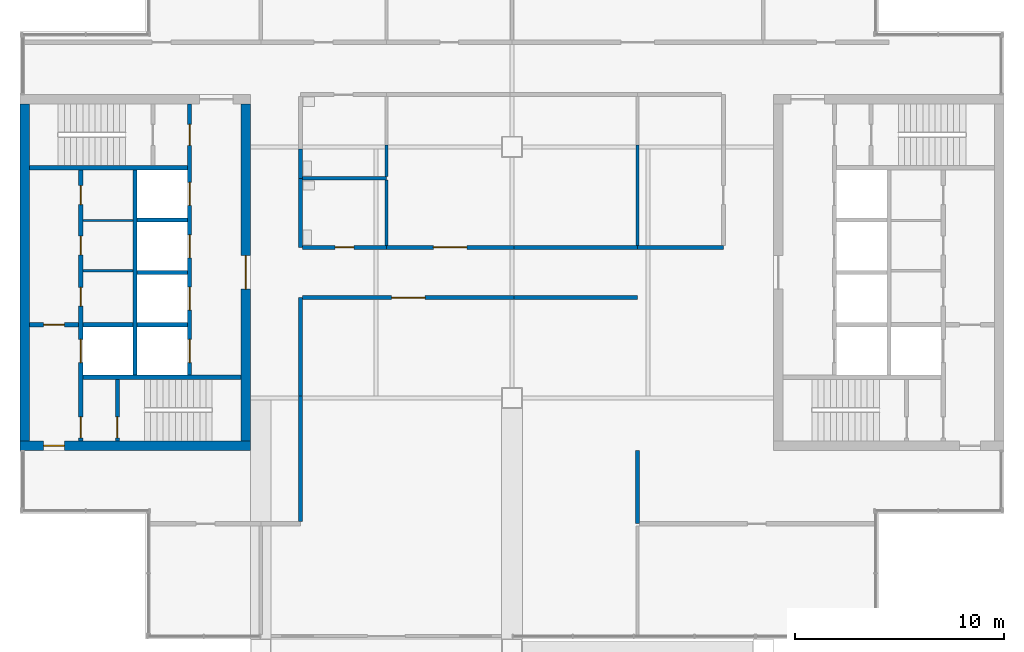
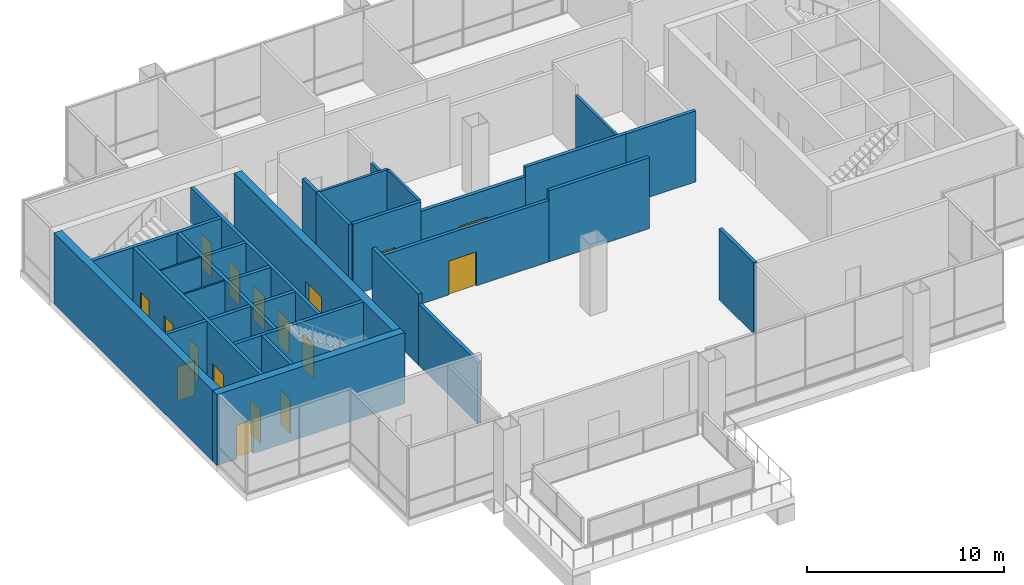
# One storey, part 11 of 15: 31 walls, 17 doors, 17 openings.
"""IFC4 building model written with IfcOpenShell, lengths in metres."""

from ifc_helpers import new_model, si_unit, direction, frame, frame_2d, origin, place, context, subcontext, project, spatial, rectangle, extrude, material, layer, layer_set, type_object, element, fill, save


model = new_model("IFC4")

# Units and contexts
model_context = context("Model", 3, precision=1e-05, world=origin(), true_north=direction((0.0, 1.0)))
body_context = subcontext(model_context, "Body", "Model", "MODEL_VIEW")
ifc_project = project(units=[si_unit("LENGTHUNIT", "METRE"), si_unit("AREAUNIT", "SQUARE_METRE"), si_unit("VOLUMEUNIT", "CUBIC_METRE"), si_unit("PLANEANGLEUNIT", "RADIAN"), si_unit("MASSUNIT", "GRAM", prefix="KILO")], contexts=[model_context])

# Site, building, storey
site_placement = place(None, origin())
site = spatial("IfcSite", under=ifc_project, at=site_placement, CompositionType="ELEMENT")
building_placement = place(site_placement, origin())
building = spatial("IfcBuilding", under=site, at=building_placement, Name="Kitamizu Gate Tower and Museum", CompositionType="ELEMENT")
storey_placement = place(building_placement, frame((0.0, 0.0, 273.14990234375)))
storey = spatial("IfcBuildingStorey", under=building, at=storey_placement, Name="L74", CompositionType="ELEMENT", Elevation=273.14990234375)

# Wall, opening, door
ifc_material_1 = material(Name="Concrete Fc42", Category="concrete")
ifc_layer_1 = layer(ifc_material_1, 0.449951171875)
ifc_layer_set_1 = layer_set([ifc_layer_1], Name="Concrete Fc42")
wall_type_1 = type_object("IfcWallType", Name="Core wall 450 EI 60", PredefinedType="SHEAR", material=ifc_layer_set_1)
wall_1_placement = place(storey_placement, frame((12.5, 21.72509765625, 0.0), z_axis=(0.0, 0.0, 1.0), x_axis=(1.0, 0.0, 0.0)))
wall_1 = element("IfcWall", 1, at=wall_1_placement, inside=storey, type_object=wall_type_1, Name="Core wall WS", PredefinedType="SHEAR", context=body_context, shape_type="SweptSolid", body=[
    extrude(rectangle(XDim=11.0, YDim=0.449951171875, at=frame_2d((5.5, 0.0))), origin(), (0.0, 0.0, 1.0), 4.400146484375),
])
opening_1_placement = place(wall_1_placement, frame((1.125, 0.0, 0.0)))
opening_1 = element("IfcOpeningElement", 2, at=opening_1_placement, cuts=wall_1, Name="Opening L74-018", PredefinedType="OPENING", context=body_context, shape_type="SweptSolid", body=[
    extrude(rectangle(XDim=1.0, YDim=2.10009765625, at=frame_2d((0.5, 1.050048828125))), frame((0.0, 0.23486328125, 0.0), z_axis=(0.0, -1.0, 0.0), x_axis=(1.0, 0.0, 0.0)), (0.0, 0.0, 1.0), 0.469970703125),
])
ifc_material_2 = material(Name="Hollow metal door set")
door_type_1 = type_object("IfcDoorType", Name="Fire door 1000", OperationType="NOTDEFINED", PredefinedType="DOOR", material=ifc_material_2)
door_1_placement = place(opening_1_placement, origin())
door_1 = element("IfcDoor", 3, at=door_1_placement, inside=storey, type_object=door_type_1, Name="Fire-fighting lobby door L74-018", OperationType="SINGLE_SWING_LEFT", OverallHeight=2.10009765625, OverallWidth=1.0, PredefinedType="DOOR", context=body_context, shape_type="SweptSolid", body=[
    extrude(rectangle(XDim=1.0, YDim=2.10009765625, at=frame_2d((0.5, 1.050048828125))), frame((0.0, 0.02490234375, 0.0), z_axis=(0.0, -1.0, 0.0), x_axis=(1.0, 0.0, 0.0)), (0.0, 0.0, 1.0), 0.050048828125),
])
fill(opening_1, door_1)

# Wall
wall_2_placement = place(storey_placement, frame((12.72509765625, 21.949951171875, 0.0), z_axis=(0.0, 0.0, 1.0), x_axis=(0.0, 1.0, 0.0)))
element("IfcWall", 4, at=wall_2_placement, inside=storey, type_object=wall_type_1, Name="Core wall WOUT", PredefinedType="SHEAR", context=body_context, shape_type="SweptSolid", body=[
    extrude(rectangle(XDim=16.10009765625, YDim=0.449951171875, at=frame_2d((8.050048828125, 0.0))), origin(), (0.0, 0.0, 1.0), 4.400146484375),
])

# Wall, opening, door
wall_3_placement = place(storey_placement, frame((23.27490234375, 21.949951171875, 0.0), z_axis=(0.0, 0.0, 1.0), x_axis=(0.0, 1.0, 0.0)))
wall_3 = element("IfcWall", 5, at=wall_3_placement, inside=storey, type_object=wall_type_1, Name="Core wall WARC", PredefinedType="SHEAR", context=body_context, shape_type="SweptSolid", body=[
    extrude(rectangle(XDim=16.10009765625, YDim=0.449951171875, at=frame_2d((8.050048828125, 0.0))), origin(), (0.0, 0.0, 1.0), 4.400146484375),
])
opening_2_placement = place(wall_3_placement, frame((7.25, 0.0, 0.0)))
opening_2 = element("IfcOpeningElement", 6, at=opening_2_placement, cuts=wall_3, Name="Opening L74-020", PredefinedType="OPENING", context=body_context, shape_type="SweptSolid", body=[
    extrude(rectangle(XDim=1.60009765625, YDim=2.10009765625, at=frame_2d((0.800048828125, 1.050048828125))), frame((0.0, 0.23486328125, 0.0), z_axis=(0.0, -1.0, 0.0), x_axis=(1.0, 0.0, 0.0)), (0.0, 0.0, 1.0), 0.469970703125),
])
ifc_material_3 = material(Name="Timber door set", Category="wood")
door_type_2 = type_object("IfcDoorType", Name="Entrance door 1600", OperationType="DOUBLE_DOOR_SINGLE_SWING", PredefinedType="DOOR", material=ifc_material_3)
door_2_placement = place(opening_2_placement, origin())
door_2 = element("IfcDoor", 7, at=door_2_placement, inside=storey, type_object=door_type_2, Name="Lobby door L74-020", OperationType="DOUBLE_DOOR_SINGLE_SWING", OverallHeight=2.10009765625, OverallWidth=1.60009765625, PredefinedType="DOOR", context=body_context, shape_type="SweptSolid", body=[
    extrude(rectangle(XDim=1.60009765625, YDim=2.10009765625, at=frame_2d((0.800048828125, 1.050048828125))), frame((0.0, 0.02490234375, 0.0), z_axis=(0.0, -1.0, 0.0), x_axis=(1.0, 0.0, 0.0)), (0.0, 0.0, 1.0), 0.050048828125),
])
fill(opening_2, door_2)

# Walls
ifc_material_4 = material(Name="Gypsum board on galvanised stud")
ifc_layer_2 = layer(ifc_material_4, 0.10009765625)
ifc_layer_set_2 = layer_set([ifc_layer_2], Name="Gypsum board on galvanised stud")
wall_type_2 = type_object("IfcWallType", Name="Partition 100", PredefinedType="PARTITIONING", material=ifc_layer_set_2)
for number, where, z_axis, x_axis, name in (
    (8, (15.5, 30.08203125, 0.0), (0.0, 0.0, 1.0), (1.0, 0.0, 0.0), "Partition WPF1"),
    (9, (15.5, 32.490966796875, 0.0), (0.0, 0.0, 1.0), (1.0, 0.0, 0.0), "Partition WPF2"),
):
    element("IfcWall", number, at=place(storey_placement, frame(where, z_axis=z_axis, x_axis=x_axis)), inside=storey, type_object=wall_type_2, Name=name, PredefinedType="PARTITIONING", context=body_context, shape_type="SweptSolid", body=[
        extrude(rectangle(XDim=2.39990234375, YDim=0.10009765625, at=frame_2d((1.199951171875, 0.0))), origin(), (0.0, 0.0, 1.0), 4.400146484375),
    ])
ifc_material_5 = material(Name="Gypsum board on galvanised stud")
ifc_layer_3 = layer(ifc_material_5, 0.14990234375)
ifc_layer_set_3 = layer_set([ifc_layer_3], Name="Gypsum board on galvanised stud")
wall_type_3 = type_object("IfcWallType", Name="Partition 150", PredefinedType="PARTITIONING", material=ifc_layer_set_3)
wall_4_placement = place(storey_placement, frame((26.0, 34.5, 0.0), z_axis=(0.0, 0.0, 1.0), x_axis=(1.0, 0.0, 0.0)))
element("IfcWall", 10, at=wall_4_placement, inside=storey, type_object=wall_type_3, Name="Partition L74-033", PredefinedType="PARTITIONING", context=body_context, shape_type="SweptSolid", body=[
    extrude(rectangle(XDim=4.0, YDim=0.14990234375, at=frame_2d((2.0, 0.0))), origin(), (0.0, 0.0, 1.0), 4.400146484375),
])
wall_5_placement = place(storey_placement, frame((30.0, 34.574951171875, 0.0), z_axis=(0.0, 0.0, 1.0), x_axis=(0.0, 1.0, 0.0)))
element("IfcWall", 11, at=wall_5_placement, inside=storey, type_object=wall_type_3, Name="Partition L74-034", PredefinedType="PARTITIONING", context=body_context, shape_type="SweptSolid", body=[
    extrude(rectangle(XDim=1.525146484375, YDim=0.14990234375, at=frame_2d((0.7626953125, 0.0))), origin(), (0.0, 0.0, 1.0), 3.800048828125),
])
wall_6_placement = place(storey_placement, frame((30.0, 31.300048828125, 0.0), z_axis=(0.0, 0.0, 1.0), x_axis=(0.0, 1.0, 0.0)))
element("IfcWall", 12, at=wall_6_placement, inside=storey, type_object=wall_type_3, Name="Partition L74-036", PredefinedType="PARTITIONING", context=body_context, shape_type="SweptSolid", body=[
    extrude(rectangle(XDim=3.125, YDim=0.14990234375, at=frame_2d((1.5625, 0.0))), origin(), (0.0, 0.0, 1.0), 4.400146484375),
])
wall_7_placement = place(storey_placement, frame((42.0, 31.300048828125, 0.0), z_axis=(0.0, 0.0, 1.0), x_axis=(0.0, 1.0, 0.0)))
element("IfcWall", 13, at=wall_7_placement, inside=storey, type_object=wall_type_3, Name="Partition L74-037", PredefinedType="PARTITIONING", context=body_context, shape_type="SweptSolid", body=[
    extrude(rectangle(XDim=4.800048828125, YDim=0.14990234375, at=frame_2d((2.39990234375, 0.0))), origin(), (0.0, 0.0, 1.0), 3.800048828125),
])
ifc_material_6 = material(Name="Gypsum board on galvanised stud")
ifc_layer_4 = layer(ifc_material_6, 0.199951171875)
ifc_layer_set_4 = layer_set([ifc_layer_4], Name="Gypsum board on galvanised stud")
wall_type_4 = type_object("IfcWallType", Name="Partition 200", PredefinedType="PARTITIONING", material=ifc_layer_set_4)
wall_8_placement = place(storey_placement, frame((25.89990234375, 18.10009765625, 0.0), z_axis=(0.0, 0.0, 1.0), x_axis=(0.0, 1.0, 0.0)))
element("IfcWall", 14, at=wall_8_placement, inside=storey, type_object=wall_type_4, Name="Partition L74-002", PredefinedType="PARTITIONING", context=body_context, shape_type="SweptSolid", body=[
    extrude(rectangle(XDim=6.0, YDim=0.199951171875, at=frame_2d((3.0, 0.0))), origin(), (0.0, 0.0, 1.0), 3.800048828125),
])
wall_9_placement = place(storey_placement, frame((25.89990234375, 24.10009765625, 0.0), z_axis=(0.0, 0.0, 1.0), x_axis=(0.0, 1.0, 0.0)))
element("IfcWall", 15, at=wall_9_placement, inside=storey, type_object=wall_type_4, Name="Partition L74-003", PredefinedType="PARTITIONING", context=body_context, shape_type="SweptSolid", body=[
    extrude(rectangle(XDim=4.699951171875, YDim=0.199951171875, at=frame_2d((2.35009765625, 0.0))), origin(), (0.0, 0.0, 1.0), 4.400146484375),
])

# Wall, opening, door
wall_10_placement = place(storey_placement, frame((26.0, 28.800048828125, 0.0), z_axis=(0.0, 0.0, 1.0), x_axis=(1.0, 0.0, 0.0)))
wall_10 = element("IfcWall", 16, at=wall_10_placement, inside=storey, type_object=wall_type_4, Name="Partition L74-004", PredefinedType="PARTITIONING", context=body_context, shape_type="SweptSolid", body=[
    extrude(rectangle(XDim=10.10009765625, YDim=0.199951171875, at=frame_2d((5.050048828125, 0.0))), origin(), (0.0, 0.0, 1.0), 3.800048828125),
])
opening_3_placement = place(wall_10_placement, frame((4.25, 0.0, 0.0)))
opening_3 = element("IfcOpeningElement", 17, at=opening_3_placement, cuts=wall_10, Name="Opening L74-001", PredefinedType="OPENING", context=body_context, shape_type="SweptSolid", body=[
    extrude(rectangle(XDim=1.60009765625, YDim=2.10009765625, at=frame_2d((0.800048828125, 1.050048828125))), frame((0.0, 0.10986328125, 0.0), z_axis=(0.0, -1.0, 0.0), x_axis=(1.0, 0.0, 0.0)), (0.0, 0.0, 1.0), 0.219970703125),
])
ifc_material_7 = material(Name="Timber door set", Category="wood")
door_type_3 = type_object("IfcDoorType", Name="Double door 1600", OperationType="DOUBLE_DOOR_SINGLE_SWING", PredefinedType="DOOR", material=ifc_material_7)
door_3_placement = place(opening_3_placement, origin())
door_3 = element("IfcDoor", 18, at=door_3_placement, inside=storey, type_object=door_type_3, Name="Double door L74-001", OperationType="DOUBLE_DOOR_SINGLE_SWING", OverallHeight=2.10009765625, OverallWidth=1.60009765625, PredefinedType="DOOR", context=body_context, shape_type="SweptSolid", body=[
    extrude(rectangle(XDim=1.60009765625, YDim=2.10009765625, at=frame_2d((0.800048828125, 1.050048828125))), frame((0.0, 0.02490234375, 0.0), z_axis=(0.0, -1.0, 0.0), x_axis=(1.0, 0.0, 0.0)), (0.0, 0.0, 1.0), 0.050048828125),
])
fill(opening_3, door_3)

# Walls
wall_11_placement = place(storey_placement, frame((36.10009765625, 28.800048828125, 0.0), z_axis=(0.0, 0.0, 1.0), x_axis=(1.0, 0.0, 0.0)))
element("IfcWall", 19, at=wall_11_placement, inside=storey, type_object=wall_type_4, Name="Partition L74-005", PredefinedType="PARTITIONING", context=body_context, shape_type="SweptSolid", body=[
    extrude(rectangle(XDim=5.89990234375, YDim=0.199951171875, at=frame_2d((2.949951171875, 0.0))), origin(), (0.0, 0.0, 1.0), 4.400146484375),
])
wall_12_placement = place(storey_placement, frame((42.0, 21.5, 0.0), z_axis=(0.0, 0.0, 1.0), x_axis=(0.0, -1.0, 0.0)))
element("IfcWall", 20, at=wall_12_placement, inside=storey, type_object=wall_type_4, Name="Partition L74-006", PredefinedType="PARTITIONING", context=body_context, shape_type="SweptSolid", body=[
    extrude(rectangle(XDim=3.5, YDim=0.199951171875, at=frame_2d((1.75, 0.0))), origin(), (0.0, 0.0, 1.0), 4.400146484375),
])
wall_13_placement = place(storey_placement, frame((25.89990234375, 35.89990234375, 0.0), z_axis=(0.0, 0.0, 1.0), x_axis=(0.0, -1.0, 0.0)))
element("IfcWall", 21, at=wall_13_placement, inside=storey, type_object=wall_type_4, Name="Partition L74-016", PredefinedType="PARTITIONING", context=body_context, shape_type="SweptSolid", body=[
    extrude(rectangle(XDim=1.39990234375, YDim=0.199951171875, at=frame_2d((0.699951171875, 0.0))), origin(), (0.0, 0.0, 1.0), 4.400146484375),
])
wall_14_placement = place(storey_placement, frame((25.89990234375, 34.5, 0.0), z_axis=(0.0, 0.0, 1.0), x_axis=(0.0, -1.0, 0.0)))
element("IfcWall", 22, at=wall_14_placement, inside=storey, type_object=wall_type_4, Name="Partition L74-017", PredefinedType="PARTITIONING", context=body_context, shape_type="SweptSolid", body=[
    extrude(rectangle(XDim=3.300048828125, YDim=0.199951171875, at=frame_2d((1.64990234375, 0.0))), origin(), (0.0, 0.0, 1.0), 4.400146484375),
])

# Wall, opening, door
wall_15_placement = place(storey_placement, frame((26.0, 31.199951171875, 0.0), z_axis=(0.0, 0.0, 1.0), x_axis=(1.0, 0.0, 0.0)))
wall_15 = element("IfcWall", 23, at=wall_15_placement, inside=storey, type_object=wall_type_4, Name="Partition L74-018", PredefinedType="PARTITIONING", context=body_context, shape_type="SweptSolid", body=[
    extrude(rectangle(XDim=4.0, YDim=0.199951171875, at=frame_2d((2.0, 0.0))), origin(), (0.0, 0.0, 1.0), 4.400146484375),
])
opening_4_placement = place(wall_15_placement, frame((1.550048828125, 0.0, 0.0)))
opening_4 = element("IfcOpeningElement", 24, at=opening_4_placement, cuts=wall_15, Name="Opening L74-010", PredefinedType="OPENING", context=body_context, shape_type="SweptSolid", body=[
    extrude(rectangle(XDim=0.89990234375, YDim=2.10009765625, at=frame_2d((0.449951171875, 1.050048828125))), frame((0.0, 0.10986328125, 0.0), z_axis=(0.0, -1.0, 0.0), x_axis=(1.0, 0.0, 0.0)), (0.0, 0.0, 1.0), 0.219970703125),
])
ifc_material_8 = material(Name="Timber door set", Category="wood")
door_type_4 = type_object("IfcDoorType", Name="Store door 900", OperationType="NOTDEFINED", PredefinedType="DOOR", material=ifc_material_8)
door_4_placement = place(opening_4_placement, origin())
door_4 = element("IfcDoor", 25, at=door_4_placement, inside=storey, type_object=door_type_4, Name="Store door L74-010", OperationType="SINGLE_SWING_RIGHT", OverallHeight=2.10009765625, OverallWidth=0.89990234375, PredefinedType="DOOR", context=body_context, shape_type="SweptSolid", body=[
    extrude(rectangle(XDim=0.89990234375, YDim=2.10009765625, at=frame_2d((0.449951171875, 1.050048828125))), frame((0.0, 0.02490234375, 0.0), z_axis=(0.0, -1.0, 0.0), x_axis=(1.0, 0.0, 0.0)), (0.0, 0.0, 1.0), 0.050048828125),
])
fill(opening_4, door_4)

wall_16_placement = place(storey_placement, frame((30.0, 31.199951171875, 0.0), z_axis=(0.0, 0.0, 1.0), x_axis=(1.0, 0.0, 0.0)))
wall_16 = element("IfcWall", 26, at=wall_16_placement, inside=storey, type_object=wall_type_4, Name="Partition L74-019", PredefinedType="PARTITIONING", context=body_context, shape_type="SweptSolid", body=[
    extrude(rectangle(XDim=6.10009765625, YDim=0.199951171875, at=frame_2d((3.050048828125, 0.0))), origin(), (0.0, 0.0, 1.0), 3.800048828125),
])
opening_5_placement = place(wall_16_placement, frame((2.25, 0.0, 0.0)))
opening_5 = element("IfcOpeningElement", 27, at=opening_5_placement, cuts=wall_16, Name="Opening L74-011", PredefinedType="OPENING", context=body_context, shape_type="SweptSolid", body=[
    extrude(rectangle(XDim=1.60009765625, YDim=2.10009765625, at=frame_2d((0.800048828125, 1.050048828125))), frame((0.0, 0.10986328125, 0.0), z_axis=(0.0, -1.0, 0.0), x_axis=(1.0, 0.0, 0.0)), (0.0, 0.0, 1.0), 0.219970703125),
])
door_5_placement = place(opening_5_placement, origin())
door_5 = element("IfcDoor", 28, at=door_5_placement, inside=storey, type_object=door_type_3, Name="Double door L74-011", OperationType="DOUBLE_DOOR_SINGLE_SWING", OverallHeight=2.10009765625, OverallWidth=1.60009765625, PredefinedType="DOOR", context=body_context, shape_type="SweptSolid", body=[
    extrude(rectangle(XDim=1.60009765625, YDim=2.10009765625, at=frame_2d((0.800048828125, 1.050048828125))), frame((0.0, 0.02490234375, 0.0), z_axis=(0.0, -1.0, 0.0), x_axis=(1.0, 0.0, 0.0)), (0.0, 0.0, 1.0), 0.050048828125),
])
fill(opening_5, door_5)

# Walls
wall_17_placement = place(storey_placement, frame((36.10009765625, 31.199951171875, 0.0), z_axis=(0.0, 0.0, 1.0), x_axis=(1.0, 0.0, 0.0)))
element("IfcWall", 29, at=wall_17_placement, inside=storey, type_object=wall_type_4, Name="Partition L74-020", PredefinedType="PARTITIONING", context=body_context, shape_type="SweptSolid", body=[
    extrude(rectangle(XDim=5.89990234375, YDim=0.199951171875, at=frame_2d((2.949951171875, 0.0))), origin(), (0.0, 0.0, 1.0), 4.400146484375),
])
wall_18_placement = place(storey_placement, frame((42.0, 31.199951171875, 0.0), z_axis=(0.0, 0.0, 1.0), x_axis=(1.0, 0.0, 0.0)))
element("IfcWall", 30, at=wall_18_placement, inside=storey, type_object=wall_type_4, Name="Partition L74-023", PredefinedType="PARTITIONING", context=body_context, shape_type="SweptSolid", body=[
    extrude(rectangle(XDim=4.10009765625, YDim=0.199951171875, at=frame_2d((2.050048828125, 0.0))), origin(), (0.0, 0.0, 1.0), 4.400146484375),
])

# Wall, openings, doors
ifc_material_9 = material(Name="Concrete Fc42", Category="concrete")
ifc_layer_5 = layer(ifc_material_9, 0.199951171875)
ifc_layer_set_5 = layer_set([ifc_layer_5], Name="Concrete Fc42")
wall_type_5 = type_object("IfcWallType", Name="Shaft wall 200", PredefinedType="SOLIDWALL", material=ifc_layer_set_5)
wall_19_placement = place(storey_placement, frame((15.39990234375, 21.949951171875, 0.0), z_axis=(0.0, 0.0, 1.0), x_axis=(0.0, 1.0, 0.0)))
wall_19 = element("IfcWall", 31, at=wall_19_placement, inside=storey, type_object=wall_type_5, Name="Shaft wall WWEST", PredefinedType="SOLIDWALL", context=body_context, shape_type="SweptSolid", body=[
    extrude(rectangle(XDim=12.949951171875, YDim=0.199951171875, at=frame_2d((6.47509765625, 0.0))), origin(), (0.0, 0.0, 1.0), 4.400146484375),
])
opening_6_placement = place(wall_19_placement, frame((3.75, 0.0, 0.0)))
opening_6 = element("IfcOpeningElement", 32, at=opening_6_placement, cuts=wall_19, Name="Opening LD", PredefinedType="OPENING", context=body_context, shape_type="SweptSolid", body=[
    extrude(rectangle(XDim=1.10009765625, YDim=2.10009765625, at=frame_2d((0.550048828125, 1.050048828125))), frame((0.0, 0.10986328125, 0.0), z_axis=(0.0, -1.0, 0.0), x_axis=(1.0, 0.0, 0.0)), (0.0, 0.0, 1.0), 0.219970703125),
])
opening_7_placement = place(wall_19_placement, frame((0.14990234375, 0.0, 0.0)))
opening_7 = element("IfcOpeningElement", 33, at=opening_7_placement, cuts=wall_19, Name="Opening L74-014", PredefinedType="OPENING", context=body_context, shape_type="SweptSolid", body=[
    extrude(rectangle(XDim=1.0, YDim=2.10009765625, at=frame_2d((0.5, 1.050048828125))), frame((0.0, 0.10986328125, 0.0), z_axis=(0.0, -1.0, 0.0), x_axis=(1.0, 0.0, 0.0)), (0.0, 0.0, 1.0), 0.219970703125),
])
opening_8_placement = place(wall_19_placement, frame((6.44091796875, 0.0, 0.0)))
opening_8 = element("IfcOpeningElement", 34, at=opening_8_placement, cuts=wall_19, Name="Opening L74-021", PredefinedType="OPENING", context=body_context, shape_type="SweptSolid", body=[
    extrude(rectangle(XDim=0.89990234375, YDim=2.10009765625, at=frame_2d((0.449951171875, 1.050048828125))), frame((0.0, 0.10986328125, 0.0), z_axis=(0.0, -1.0, 0.0), x_axis=(1.0, 0.0, 0.0)), (0.0, 0.0, 1.0), 0.219970703125),
])
opening_9_placement = place(wall_19_placement, frame((8.886474609375, 0.0, 0.0)))
opening_9 = element("IfcOpeningElement", 35, at=opening_9_placement, cuts=wall_19, Name="Opening L74-022", PredefinedType="OPENING", context=body_context, shape_type="SweptSolid", body=[
    extrude(rectangle(XDim=0.89990234375, YDim=2.10009765625, at=frame_2d((0.449951171875, 1.050048828125))), frame((0.0, 0.10986328125, 0.0), z_axis=(0.0, -1.0, 0.0), x_axis=(1.0, 0.0, 0.0)), (0.0, 0.0, 1.0), 0.219970703125),
])
opening_10_placement = place(wall_19_placement, frame((11.29541015625, 0.0, 0.0)))
opening_10 = element("IfcOpeningElement", 36, at=opening_10_placement, cuts=wall_19, Name="Opening L74-023", PredefinedType="OPENING", context=body_context, shape_type="SweptSolid", body=[
    extrude(rectangle(XDim=0.89990234375, YDim=2.10009765625, at=frame_2d((0.449951171875, 1.050048828125))), frame((0.0, 0.10986328125, 0.0), z_axis=(0.0, -1.0, 0.0), x_axis=(1.0, 0.0, 0.0)), (0.0, 0.0, 1.0), 0.219970703125),
])
door_6_placement = place(opening_7_placement, frame((1.0, 0.0, 0.0), x_axis=(-1.0, 0.0, 0.0)))
door_6 = element("IfcDoor", 37, at=door_6_placement, inside=storey, type_object=door_type_1, Name="Stair lobby door L74-014", OperationType="SINGLE_SWING_LEFT", OverallHeight=2.10009765625, OverallWidth=1.0, PredefinedType="DOOR", context=body_context, shape_type="SweptSolid", body=[
    extrude(rectangle(XDim=1.0, YDim=2.10009765625, at=frame_2d((0.5, 1.050048828125))), frame((0.0, 0.02490234375, 0.0), z_axis=(0.0, -1.0, 0.0), x_axis=(1.0, 0.0, 0.0)), (0.0, 0.0, 1.0), 0.050048828125),
])
fill(opening_7, door_6)
ifc_material_10 = material(Name="Hollow metal door set")
door_type_5 = type_object("IfcDoorType", Name="Landing door 1100", OperationType="SLIDING_TO_LEFT", PredefinedType="DOOR", material=ifc_material_10)
door_7_placement = place(opening_6_placement, origin())
door_7 = element("IfcDoor", 38, at=door_7_placement, inside=storey, type_object=door_type_5, Name="Landing door WFF1", OperationType="SLIDING_TO_LEFT", OverallHeight=2.10009765625, OverallWidth=1.10009765625, PredefinedType="DOOR", context=body_context, shape_type="SweptSolid", body=[
    extrude(rectangle(XDim=1.10009765625, YDim=2.10009765625, at=frame_2d((0.550048828125, 1.050048828125))), frame((0.0, 0.02490234375, 0.0), z_axis=(0.0, -1.0, 0.0), x_axis=(1.0, 0.0, 0.0)), (0.0, 0.0, 1.0), 0.050048828125),
])
fill(opening_6, door_7)
ifc_material_11 = material(Name="Timber door set", Category="wood")
door_type_6 = type_object("IfcDoorType", Name="Service door 900", OperationType="NOTDEFINED", PredefinedType="DOOR", material=ifc_material_11)
door_8_placement = place(opening_8_placement, frame((0.89990234375, 0.0, 0.0), x_axis=(-1.0, 0.0, 0.0)))
door_8 = element("IfcDoor", 39, at=door_8_placement, inside=storey, type_object=door_type_6, Name="Service door L74-021", OperationType="SINGLE_SWING_LEFT", OverallHeight=2.10009765625, OverallWidth=0.89990234375, PredefinedType="DOOR", context=body_context, shape_type="SweptSolid", body=[
    extrude(rectangle(XDim=0.89990234375, YDim=2.10009765625, at=frame_2d((0.449951171875, 1.050048828125))), frame((0.0, 0.02490234375, 0.0), z_axis=(0.0, -1.0, 0.0), x_axis=(1.0, 0.0, 0.0)), (0.0, 0.0, 1.0), 0.050048828125),
])
fill(opening_8, door_8)
door_9_placement = place(opening_9_placement, frame((0.89990234375, 0.0, 0.0), x_axis=(-1.0, 0.0, 0.0)))
door_9 = element("IfcDoor", 40, at=door_9_placement, inside=storey, type_object=door_type_6, Name="Service door L74-022", OperationType="SINGLE_SWING_RIGHT", OverallHeight=2.10009765625, OverallWidth=0.89990234375, PredefinedType="DOOR", context=body_context, shape_type="SweptSolid", body=[
    extrude(rectangle(XDim=0.89990234375, YDim=2.10009765625, at=frame_2d((0.449951171875, 1.050048828125))), frame((0.0, 0.02490234375, 0.0), z_axis=(0.0, -1.0, 0.0), x_axis=(1.0, 0.0, 0.0)), (0.0, 0.0, 1.0), 0.050048828125),
])
fill(opening_9, door_9)
door_10_placement = place(opening_10_placement, frame((0.89990234375, 0.0, 0.0), x_axis=(-1.0, 0.0, 0.0)))
door_10 = element("IfcDoor", 41, at=door_10_placement, inside=storey, type_object=door_type_6, Name="Service door L74-023", OperationType="SINGLE_SWING_LEFT", OverallHeight=2.10009765625, OverallWidth=0.89990234375, PredefinedType="DOOR", context=body_context, shape_type="SweptSolid", body=[
    extrude(rectangle(XDim=0.89990234375, YDim=2.10009765625, at=frame_2d((0.449951171875, 1.050048828125))), frame((0.0, 0.02490234375, 0.0), z_axis=(0.0, -1.0, 0.0), x_axis=(1.0, 0.0, 0.0)), (0.0, 0.0, 1.0), 0.050048828125),
])
fill(opening_10, door_10)

wall_20_placement = place(storey_placement, frame((20.60009765625, 25.10009765625, 0.0), z_axis=(0.0, 0.0, 1.0), x_axis=(0.0, 1.0, 0.0)))
wall_20 = element("IfcWall", 42, at=wall_20_placement, inside=storey, type_object=wall_type_5, Name="Shaft wall WEAST", PredefinedType="SOLIDWALL", context=body_context, shape_type="SweptSolid", body=[
    extrude(rectangle(XDim=12.949951171875, YDim=0.199951171875, at=frame_2d((6.47509765625, 0.0))), origin(), (0.0, 0.0, 1.0), 4.400146484375),
])
opening_11_placement = place(wall_20_placement, frame((0.60009765625, 0.0, 0.0)))
opening_11 = element("IfcOpeningElement", 43, at=opening_11_placement, cuts=wall_20, Name="Opening LD", PredefinedType="OPENING", context=body_context, shape_type="SweptSolid", body=[
    extrude(rectangle(XDim=1.10009765625, YDim=2.10009765625, at=frame_2d((0.550048828125, 1.050048828125))), frame((0.0, 0.10986328125, 0.0), z_axis=(0.0, -1.0, 0.0), x_axis=(1.0, 0.0, 0.0)), (0.0, 0.0, 1.0), 0.219970703125),
])
opening_12_placement = place(wall_20_placement, frame((3.10009765625, 0.0, 0.0)))
opening_12 = element("IfcOpeningElement", 44, at=opening_12_placement, cuts=wall_20, Name="Opening LD", PredefinedType="OPENING", context=body_context, shape_type="SweptSolid", body=[
    extrude(rectangle(XDim=1.10009765625, YDim=2.10009765625, at=frame_2d((0.550048828125, 1.050048828125))), frame((0.0, 0.10986328125, 0.0), z_axis=(0.0, -1.0, 0.0), x_axis=(1.0, 0.0, 0.0)), (0.0, 0.0, 1.0), 0.219970703125),
])
opening_13_placement = place(wall_20_placement, frame((5.60009765625, 0.0, 0.0)))
opening_13 = element("IfcOpeningElement", 45, at=opening_13_placement, cuts=wall_20, Name="Opening LD", PredefinedType="OPENING", context=body_context, shape_type="SweptSolid", body=[
    extrude(rectangle(XDim=1.10009765625, YDim=2.10009765625, at=frame_2d((0.550048828125, 1.050048828125))), frame((0.0, 0.10986328125, 0.0), z_axis=(0.0, -1.0, 0.0), x_axis=(1.0, 0.0, 0.0)), (0.0, 0.0, 1.0), 0.219970703125),
])
opening_14_placement = place(wall_20_placement, frame((8.10009765625, 0.0, 0.0)))
opening_14 = element("IfcOpeningElement", 46, at=opening_14_placement, cuts=wall_20, Name="Opening LD", PredefinedType="OPENING", context=body_context, shape_type="SweptSolid", body=[
    extrude(rectangle(XDim=1.10009765625, YDim=2.10009765625, at=frame_2d((0.550048828125, 1.050048828125))), frame((0.0, 0.10986328125, 0.0), z_axis=(0.0, -1.0, 0.0), x_axis=(1.0, 0.0, 0.0)), (0.0, 0.0, 1.0), 0.219970703125),
])
opening_15_placement = place(wall_20_placement, frame((10.97509765625, 0.0, 0.0)))
opening_15 = element("IfcOpeningElement", 47, at=opening_15_placement, cuts=wall_20, Name="Opening L74-015", PredefinedType="OPENING", context=body_context, shape_type="SweptSolid", body=[
    extrude(rectangle(XDim=1.0, YDim=2.10009765625, at=frame_2d((0.5, 1.050048828125))), frame((0.0, 0.10986328125, 0.0), z_axis=(0.0, -1.0, 0.0), x_axis=(1.0, 0.0, 0.0)), (0.0, 0.0, 1.0), 0.219970703125),
])
door_11_placement = place(opening_15_placement, origin())
door_11 = element("IfcDoor", 48, at=door_11_placement, inside=storey, type_object=door_type_1, Name="Stair lobby door L74-015", OperationType="SINGLE_SWING_RIGHT", OverallHeight=2.10009765625, OverallWidth=1.0, PredefinedType="DOOR", context=body_context, shape_type="SweptSolid", body=[
    extrude(rectangle(XDim=1.0, YDim=2.10009765625, at=frame_2d((0.5, 1.050048828125))), frame((0.0, 0.02490234375, 0.0), z_axis=(0.0, -1.0, 0.0), x_axis=(1.0, 0.0, 0.0)), (0.0, 0.0, 1.0), 0.050048828125),
])
fill(opening_15, door_11)
door_12_placement = place(opening_11_placement, origin())
door_12 = element("IfcDoor", 49, at=door_12_placement, inside=storey, type_object=door_type_5, Name="Landing door WSV1", OperationType="SLIDING_TO_LEFT", OverallHeight=2.10009765625, OverallWidth=1.10009765625, PredefinedType="DOOR", context=body_context, shape_type="SweptSolid", body=[
    extrude(rectangle(XDim=1.10009765625, YDim=2.10009765625, at=frame_2d((0.550048828125, 1.050048828125))), frame((0.0, 0.02490234375, 0.0), z_axis=(0.0, -1.0, 0.0), x_axis=(1.0, 0.0, 0.0)), (0.0, 0.0, 1.0), 0.050048828125),
])
fill(opening_11, door_12)
door_13_placement = place(opening_12_placement, origin())
door_13 = element("IfcDoor", 50, at=door_13_placement, inside=storey, type_object=door_type_5, Name="Landing door WH1", OperationType="SLIDING_TO_LEFT", OverallHeight=2.10009765625, OverallWidth=1.10009765625, PredefinedType="DOOR", context=body_context, shape_type="SweptSolid", body=[
    extrude(rectangle(XDim=1.10009765625, YDim=2.10009765625, at=frame_2d((0.550048828125, 1.050048828125))), frame((0.0, 0.02490234375, 0.0), z_axis=(0.0, -1.0, 0.0), x_axis=(1.0, 0.0, 0.0)), (0.0, 0.0, 1.0), 0.050048828125),
])
fill(opening_12, door_13)
door_14_placement = place(opening_13_placement, origin())
door_14 = element("IfcDoor", 51, at=door_14_placement, inside=storey, type_object=door_type_5, Name="Landing door WH2", OperationType="SLIDING_TO_LEFT", OverallHeight=2.10009765625, OverallWidth=1.10009765625, PredefinedType="DOOR", context=body_context, shape_type="SweptSolid", body=[
    extrude(rectangle(XDim=1.10009765625, YDim=2.10009765625, at=frame_2d((0.550048828125, 1.050048828125))), frame((0.0, 0.02490234375, 0.0), z_axis=(0.0, -1.0, 0.0), x_axis=(1.0, 0.0, 0.0)), (0.0, 0.0, 1.0), 0.050048828125),
])
fill(opening_13, door_14)
door_15_placement = place(opening_14_placement, origin())
door_15 = element("IfcDoor", 52, at=door_15_placement, inside=storey, type_object=door_type_5, Name="Landing door WH3", OperationType="SLIDING_TO_LEFT", OverallHeight=2.10009765625, OverallWidth=1.10009765625, PredefinedType="DOOR", context=body_context, shape_type="SweptSolid", body=[
    extrude(rectangle(XDim=1.10009765625, YDim=2.10009765625, at=frame_2d((0.550048828125, 1.050048828125))), frame((0.0, 0.02490234375, 0.0), z_axis=(0.0, -1.0, 0.0), x_axis=(1.0, 0.0, 0.0)), (0.0, 0.0, 1.0), 0.050048828125),
])
fill(opening_14, door_15)

# Walls
wall_21_placement = place(storey_placement, frame((18.0, 25.10009765625, 0.0), z_axis=(0.0, 0.0, 1.0), x_axis=(0.0, 1.0, 0.0)))
element("IfcWall", 53, at=wall_21_placement, inside=storey, type_object=wall_type_5, Name="Shaft wall WMID", PredefinedType="SOLIDWALL", context=body_context, shape_type="SweptSolid", body=[
    extrude(rectangle(XDim=9.7998046875, YDim=0.199951171875, at=frame_2d((4.89990234375, 0.0))), origin(), (0.0, 0.0, 1.0), 4.400146484375),
])
for number, where, z_axis, x_axis, name in (
    (54, (15.5, 25.0, 0.0), (0.0, 0.0, 1.0), (1.0, 0.0, 0.0), "Shaft wall WSB"),
    (55, (12.949951171875, 35.0, 0.0), (0.0, 0.0, 1.0), (1.0, 0.0, 0.0), "Shaft wall WNB"),
):
    element("IfcWall", number, at=place(storey_placement, frame(where, z_axis=z_axis, x_axis=x_axis)), inside=storey, type_object=wall_type_5, Name=name, PredefinedType="SOLIDWALL", context=body_context, shape_type="SweptSolid", body=[
        extrude(rectangle(XDim=7.550048828125, YDim=0.199951171875, at=frame_2d((3.77490234375, 0.0))), origin(), (0.0, 0.0, 1.0), 4.400146484375),
    ])

# Wall, opening, door
wall_22_placement = place(storey_placement, frame((12.949951171875, 27.5, 0.0), z_axis=(0.0, 0.0, 1.0), x_axis=(1.0, 0.0, 0.0)))
wall_22 = element("IfcWall", 56, at=wall_22_placement, inside=storey, type_object=wall_type_5, Name="Shaft wall WFFN", PredefinedType="SOLIDWALL", context=body_context, shape_type="SweptSolid", body=[
    extrude(rectangle(XDim=2.35009765625, YDim=0.199951171875, at=frame_2d((1.175048828125, 0.0))), origin(), (0.0, 0.0, 1.0), 4.400146484375),
])
opening_16_placement = place(wall_22_placement, frame((0.675048828125, 0.0, 0.0)))
opening_16 = element("IfcOpeningElement", 57, at=opening_16_placement, cuts=wall_22, Name="Opening L74-017", PredefinedType="OPENING", context=body_context, shape_type="SweptSolid", body=[
    extrude(rectangle(XDim=1.0, YDim=2.10009765625, at=frame_2d((0.5, 1.050048828125))), frame((0.0, 0.10986328125, 0.0), z_axis=(0.0, -1.0, 0.0), x_axis=(1.0, 0.0, 0.0)), (0.0, 0.0, 1.0), 0.219970703125),
])
door_16_placement = place(opening_16_placement, frame((1.0, 0.0, 0.0), x_axis=(-1.0, 0.0, 0.0)))
door_16 = element("IfcDoor", 58, at=door_16_placement, inside=storey, type_object=door_type_1, Name="Fire-fighting lobby door L74-017", OperationType="SINGLE_SWING_LEFT", OverallHeight=2.10009765625, OverallWidth=1.0, PredefinedType="DOOR", context=body_context, shape_type="SweptSolid", body=[
    extrude(rectangle(XDim=1.0, YDim=2.10009765625, at=frame_2d((0.5, 1.050048828125))), frame((0.0, 0.02490234375, 0.0), z_axis=(0.0, -1.0, 0.0), x_axis=(1.0, 0.0, 0.0)), (0.0, 0.0, 1.0), 0.050048828125),
])
fill(opening_16, door_16)

wall_23_placement = place(storey_placement, frame((17.14990234375, 21.949951171875, 0.0), z_axis=(0.0, 0.0, 1.0), x_axis=(0.0, 1.0, 0.0)))
wall_23 = element("IfcWall", 59, at=wall_23_placement, inside=storey, type_object=wall_type_5, Name="Shaft wall WSZ", PredefinedType="SOLIDWALL", context=body_context, shape_type="SweptSolid", body=[
    extrude(rectangle(XDim=2.949951171875, YDim=0.199951171875, at=frame_2d((1.47509765625, 0.0))), origin(), (0.0, 0.0, 1.0), 4.400146484375),
])
opening_17_placement = place(wall_23_placement, frame((0.14990234375, 0.0, 0.0)))
opening_17 = element("IfcOpeningElement", 60, at=opening_17_placement, cuts=wall_23, Name="Opening L74-013", PredefinedType="OPENING", context=body_context, shape_type="SweptSolid", body=[
    extrude(rectangle(XDim=1.0, YDim=2.10009765625, at=frame_2d((0.5, 1.050048828125))), frame((0.0, 0.10986328125, 0.0), z_axis=(0.0, -1.0, 0.0), x_axis=(1.0, 0.0, 0.0)), (0.0, 0.0, 1.0), 0.219970703125),
])
door_17_placement = place(opening_17_placement, frame((1.0, 0.0, 0.0), x_axis=(-1.0, 0.0, 0.0)))
door_17 = element("IfcDoor", 61, at=door_17_placement, inside=storey, type_object=door_type_1, Name="Stair door L74-013", OperationType="SINGLE_SWING_LEFT", OverallHeight=2.10009765625, OverallWidth=1.0, PredefinedType="DOOR", context=body_context, shape_type="SweptSolid", body=[
    extrude(rectangle(XDim=1.0, YDim=2.10009765625, at=frame_2d((0.5, 1.050048828125))), frame((0.0, 0.02490234375, 0.0), z_axis=(0.0, -1.0, 0.0), x_axis=(1.0, 0.0, 0.0)), (0.0, 0.0, 1.0), 0.050048828125),
])
fill(opening_17, door_17)

# Walls
for number, where, z_axis, x_axis, name in (
    (62, (15.5, 27.5, 0.0), (0.0, 0.0, 1.0), (1.0, 0.0, 0.0), "Shaft wall WDVW0"),
    (63, (18.10009765625, 27.5, 0.0), (0.0, 0.0, 1.0), (1.0, 0.0, 0.0), "Shaft wall WDVE0"),
    (64, (18.10009765625, 30.0, 0.0), (0.0, 0.0, 1.0), (1.0, 0.0, 0.0), "Shaft wall WDVE1"),
    (65, (18.10009765625, 32.5, 0.0), (0.0, 0.0, 1.0), (1.0, 0.0, 0.0), "Shaft wall WDVE2"),
):
    element("IfcWall", number, at=place(storey_placement, frame(where, z_axis=z_axis, x_axis=x_axis)), inside=storey, type_object=wall_type_5, Name=name, PredefinedType="SOLIDWALL", context=body_context, shape_type="SweptSolid", body=[
        extrude(rectangle(XDim=2.39990234375, YDim=0.199951171875, at=frame_2d((1.199951171875, 0.0))), origin(), (0.0, 0.0, 1.0), 4.400146484375),
    ])

save(model, "model.ifc")
